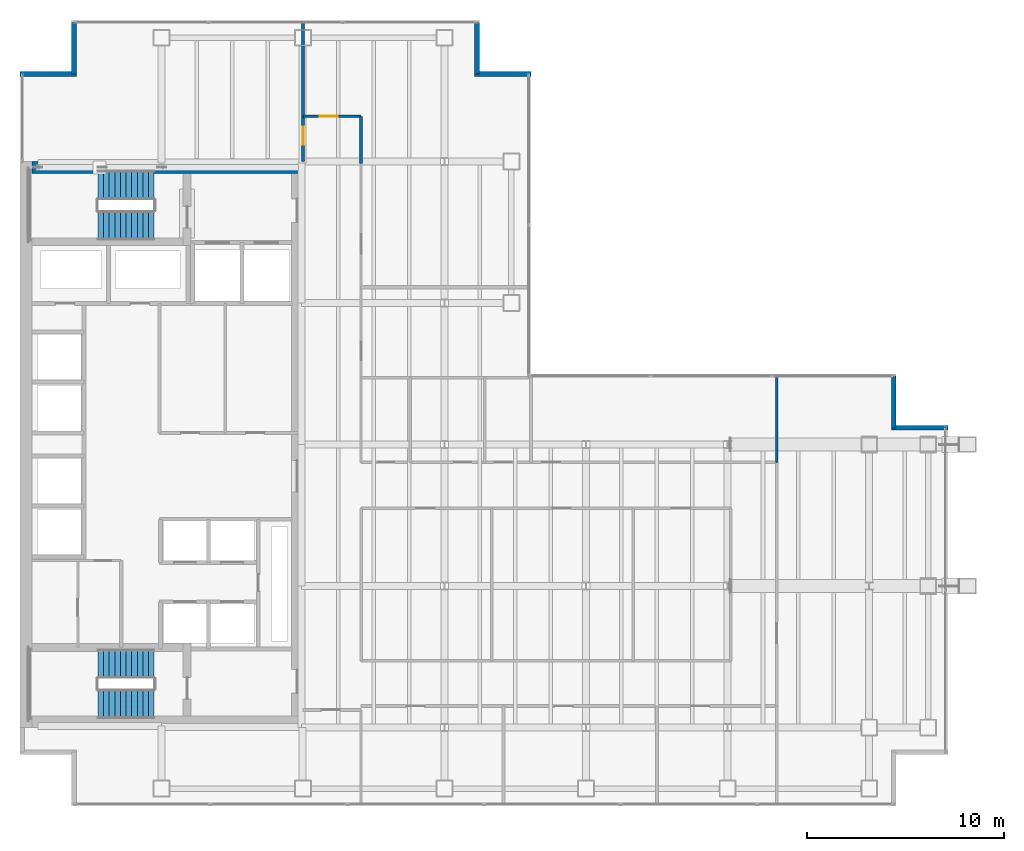
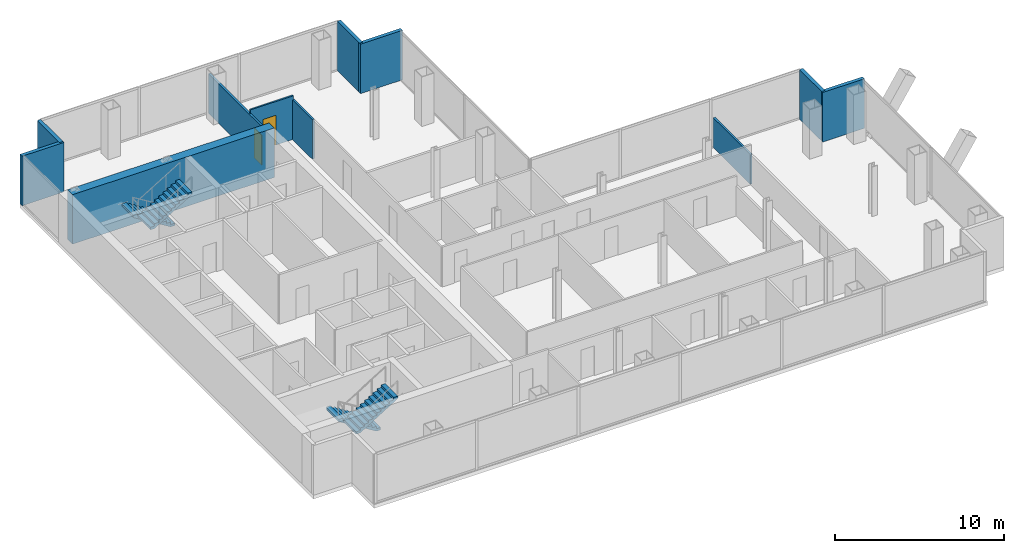
# One storey, part 22 of 23: 11 walls, 4 stair flights, 2 doors, 2 openings, 2 elements without a shape of their own.
"""IFC4 building model written with IfcOpenShell, lengths in metres."""

from ifc_helpers import new_model, si_unit, direction, frame, frame_2d, origin, place, context, subcontext, project, spatial, polyline, rectangle, outline, extrude, material, layer, layer_set, type_object, element, fill, aggregate, save


model = new_model("IFC4")

# Units and contexts
model_context = context("Model", 3, precision=1e-05, world=origin(), true_north=direction((0.0, 1.0)))
body_context = subcontext(model_context, "Body", "Model", "MODEL_VIEW")
ifc_project = project(units=[si_unit("LENGTHUNIT", "METRE"), si_unit("AREAUNIT", "SQUARE_METRE"), si_unit("VOLUMEUNIT", "CUBIC_METRE"), si_unit("PLANEANGLEUNIT", "RADIAN"), si_unit("MASSUNIT", "GRAM", prefix="KILO")], contexts=[model_context])

# Site, building, storey
site_placement = place(None, origin())
site = spatial("IfcSite", under=ifc_project, at=site_placement, CompositionType="ELEMENT")
building_placement = place(site_placement, origin())
building = spatial("IfcBuilding", under=site, at=building_placement, Name="Cobrela Telecom Tower", CompositionType="ELEMENT")
storey_placement = place(building_placement, frame((0.0, 0.0, 156.10009765625)))
storey = spatial("IfcBuildingStorey", under=building, at=storey_placement, Name="L39", CompositionType="ELEMENT", Elevation=156.10009765625)

# Walls
ifc_material_1 = material(Name="Concrete C50/60", Category="concrete")
ifc_layer_1 = layer(ifc_material_1, 0.60009765625)
ifc_layer_set_1 = layer_set([ifc_layer_1], Name="Concrete C50/60")
wall_type_1 = type_object("IfcWallType", Name="WALL-CORE-C50-600", PredefinedType="SHEAR", material=ifc_layer_set_1)
wall_1_placement = place(storey_placement, frame((0.60009765625, 35.699951171875, 0.0), z_axis=(0.0, 0.0, 1.0), x_axis=(1.0, 0.0, 0.0)))
element("IfcWall", 1, at=wall_1_placement, inside=storey, type_object=wall_type_1, Name="L39 North Core Shear Wall", PredefinedType="SHEAR", context=body_context, shape_type="SweptSolid", body=[
    extrude(rectangle(XDim=13.7998046875, YDim=0.60009765625, at=frame_2d((6.89990234375, 0.0))), origin(), (0.0, 0.0, 1.0), 3.579833984375),
])
ifc_material_2 = material(Name="Concrete C40/50", Category="concrete")
ifc_layer_2 = layer(ifc_material_2, 0.239990234375)
ifc_layer_set_2 = layer_set([ifc_layer_2], Name="Concrete C40/50")
wall_type_2 = type_object("IfcWallType", Name="WALL-EXT-300", PredefinedType="STANDARD", material=ifc_layer_set_2)
wall_2_placement = place(storey_placement, frame((0.0, 40.449951171875, 0.0), z_axis=(0.0, 0.0, 1.0), x_axis=(1.0, 0.0, 0.0)))
element("IfcWall", 2, at=wall_2_placement, inside=storey, type_object=wall_type_2, Name="L39 Insulated Facade Wall 05", PredefinedType="STANDARD", context=body_context, shape_type="SweptSolid", body=[
    extrude(rectangle(XDim=2.8701171875, YDim=0.239990234375, at=frame_2d((1.43505859375, 0.0))), origin(), (0.0, 0.0, 1.0), 3.579833984375),
])
for number, where, z_axis, x_axis, name in (
    (3, (2.75, 40.449951171875, 0.0), (0.0, 0.0, 1.0), (0.0, 1.0, 0.0), "L39 Insulated Facade Wall 06"),
    (4, (23.25, 43.080078125, 0.0), (0.0, 0.0, 1.0), (0.0, -1.0, 0.0), "L39 Insulated Facade Wall 08"),
):
    element("IfcWall", number, at=place(storey_placement, frame(where, z_axis=z_axis, x_axis=x_axis)), inside=storey, type_object=wall_type_2, Name=name, PredefinedType="STANDARD", context=body_context, shape_type="SweptSolid", body=[
        extrude(rectangle(XDim=2.630126953125, YDim=0.239990234375, at=frame_2d((1.31494140625, 0.0))), origin(), (0.0, 0.0, 1.0), 3.579833984375),
    ])
wall_3_placement = place(storey_placement, frame((23.1298828125, 40.449951171875, 0.0), z_axis=(0.0, 0.0, 1.0), x_axis=(1.0, 0.0, 0.0)))
element("IfcWall", 5, at=wall_3_placement, inside=storey, type_object=wall_type_2, Name="L39 Insulated Facade Wall 09", PredefinedType="STANDARD", context=body_context, shape_type="SweptSolid", body=[
    extrude(rectangle(XDim=2.8701171875, YDim=0.239990234375, at=frame_2d((1.43505859375, 0.0))), origin(), (0.0, 0.0, 1.0), 3.579833984375),
])
wall_4_placement = place(storey_placement, frame((44.449951171875, 25.080078125, 0.0), z_axis=(0.0, 0.0, 1.0), x_axis=(0.0, -1.0, 0.0)))
element("IfcWall", 6, at=wall_4_placement, inside=storey, type_object=wall_type_2, Name="L39 Insulated Facade Wall 12", PredefinedType="STANDARD", context=body_context, shape_type="SweptSolid", body=[
    extrude(rectangle(XDim=2.630126953125, YDim=0.239990234375, at=frame_2d((1.31494140625, 0.0))), origin(), (0.0, 0.0, 1.0), 3.579833984375),
])
wall_5_placement = place(storey_placement, frame((44.330078125, 22.449951171875, 0.0), z_axis=(0.0, 0.0, 1.0), x_axis=(1.0, 0.0, 0.0)))
element("IfcWall", 7, at=wall_5_placement, inside=storey, type_object=wall_type_2, Name="L39 Insulated Facade Wall 13", PredefinedType="STANDARD", context=body_context, shape_type="SweptSolid", body=[
    extrude(rectangle(XDim=2.869873046875, YDim=0.239990234375, at=frame_2d((1.43505859375, 0.0))), origin(), (0.0, 0.0, 1.0), 3.579833984375),
])

# Wall, opening, door
ifc_material_3 = material(Name="Fire-Rated Gypsum Plasterboard")
ifc_layer_3 = layer(ifc_material_3, 0.110107421875)
ifc_layer_set_3 = layer_set([ifc_layer_3], Name="Fire-Rated Gypsum Plasterboard")
wall_type_3 = type_object("IfcWallType", Name="WALL-PART-110", PredefinedType="PARTITIONING", material=ifc_layer_set_3)
wall_6_placement = place(storey_placement, frame((14.39990234375, 38.300048828125, 0.0), z_axis=(0.0, 0.0, 1.0), x_axis=(1.0, 0.0, 0.0)))
wall_6 = element("IfcWall", 8, at=wall_6_placement, inside=storey, type_object=wall_type_3, Name="L39 Interior Partition W-UWN-T", PredefinedType="PARTITIONING", context=body_context, shape_type="SweptSolid", body=[
    extrude(rectangle(XDim=2.9501953125, YDim=0.110107421875, at=frame_2d((1.47509765625, 0.0))), origin(), (0.0, 0.0, 1.0), 3.14794921875),
])
opening_1_placement = place(wall_6_placement, frame((0.85009765625, 0.0, 0.0)))
opening_1 = element("IfcOpeningElement", 9, at=opening_1_placement, cuts=wall_6, Name="Opening DR-45", PredefinedType="OPENING", context=body_context, shape_type="SweptSolid", body=[
    extrude(rectangle(XDim=0.919921875, YDim=2.14990234375, at=frame_2d((0.4599609375, 1.074951171875))), frame((0.0, 0.06689453125, 0.0), z_axis=(0.0, -1.0, 0.0), x_axis=(1.0, 0.0, 0.0)), (0.0, 0.0, 1.0), 0.134033203125),
])
ifc_material_4 = material(Name="Solid Engineered Oak Timber", Category="wood")
door_type = type_object("IfcDoorType", Name="DOOR-INT-920", OperationType="SINGLE_SWING_LEFT", PredefinedType="DOOR", material=ifc_material_4)
door_1_placement = place(opening_1_placement, origin())
door_1 = element("IfcDoor", 10, at=door_1_placement, inside=storey, type_object=door_type, Name="L39 Door DR-45", OperationType="SINGLE_SWING_RIGHT", OverallHeight=2.14990234375, OverallWidth=0.919921875, PredefinedType="DOOR", context=body_context, shape_type="SweptSolid", body=[
    extrude(rectangle(XDim=0.919921875, YDim=2.14990234375, at=frame_2d((0.4599609375, 1.074951171875))), frame((0.0, 0.02490234375, 0.0), z_axis=(0.0, -1.0, 0.0), x_axis=(1.0, 0.0, 0.0)), (0.0, 0.0, 1.0), 0.050048828125),
])
fill(opening_1, door_1)

# Walls
ifc_layer_4 = layer(ifc_material_3, 0.135009765625)
ifc_layer_set_4 = layer_set([ifc_layer_4], Name="Fire-Rated Gypsum Plasterboard")
wall_type_4 = type_object("IfcWallType", Name="WALL-PART-135", PredefinedType="PARTITIONING", material=ifc_layer_set_4)
wall_7_placement = place(storey_placement, frame((17.35009765625, 35.89990234375, 0.0), z_axis=(0.0, 0.0, 1.0), x_axis=(0.0, 1.0, 0.0)))
element("IfcWall", 11, at=wall_7_placement, inside=storey, type_object=wall_type_4, Name="L39 Interior Partition W-UWN-E", PredefinedType="PARTITIONING", context=body_context, shape_type="SweptSolid", body=[
    extrude(rectangle(XDim=2.400146484375, YDim=0.135009765625, at=frame_2d((1.2001953125, 0.0))), origin(), (0.0, 0.0, 1.0), 2.868896484375),
])
wall_8_placement = place(storey_placement, frame((38.5, 20.699951171875, 0.0), z_axis=(0.0, 0.0, 1.0), x_axis=(0.0, 1.0, 0.0)))
element("IfcWall", 12, at=wall_8_placement, inside=storey, type_object=wall_type_4, Name="L39 Interior Partition W-UFE-N", PredefinedType="PARTITIONING", context=body_context, shape_type="SweptSolid", body=[
    extrude(rectangle(XDim=4.380126953125, YDim=0.135009765625, at=frame_2d((2.18994140625, 0.0))), origin(), (0.0, 0.0, 1.0), 2.164794921875),
])

# Wall, opening, door
ifc_layer_5 = layer(ifc_material_3, 0.14990234375)
ifc_layer_set_5 = layer_set([ifc_layer_5], Name="Fire-Rated Gypsum Plasterboard")
wall_type_5 = type_object("IfcWallType", Name="WALL-PART-150", PredefinedType="PARTITIONING", material=ifc_layer_set_5)
wall_9_placement = place(storey_placement, frame((14.39990234375, 36.0, 0.0), z_axis=(0.0, 0.0, 1.0), x_axis=(0.0, 1.0, 0.0)))
wall_9 = element("IfcWall", 13, at=wall_9_placement, inside=storey, type_object=wall_type_5, Name="L39 Interior Partition W-UWN-W", PredefinedType="PARTITIONING", context=body_context, shape_type="SweptSolid", body=[
    extrude(rectangle(XDim=7.080078125, YDim=0.14990234375, at=frame_2d((3.5400390625, 0.0))), origin(), (0.0, 0.0, 1.0), 2.868896484375),
])
opening_2_placement = place(wall_9_placement, frame((0.85009765625, 0.0, 0.0)))
opening_2 = element("IfcOpeningElement", 14, at=opening_2_placement, cuts=wall_9, Name="Opening DR-45", PredefinedType="OPENING", context=body_context, shape_type="SweptSolid", body=[
    extrude(rectangle(XDim=0.919921875, YDim=2.14990234375, at=frame_2d((0.4599609375, 1.074951171875))), frame((0.0, 0.0869140625, 0.0), z_axis=(0.0, -1.0, 0.0), x_axis=(1.0, 0.0, 0.0)), (0.0, 0.0, 1.0), 0.173828125),
])
door_2_placement = place(opening_2_placement, origin())
door_2 = element("IfcDoor", 15, at=door_2_placement, inside=storey, type_object=door_type, Name="L39 Door DR-45", OperationType="SINGLE_SWING_LEFT", OverallHeight=2.14990234375, OverallWidth=0.919921875, PredefinedType="DOOR", context=body_context, shape_type="SweptSolid", body=[
    extrude(rectangle(XDim=0.919921875, YDim=2.14990234375, at=frame_2d((0.4599609375, 1.074951171875))), frame((0.0, 0.02490234375, 0.0), z_axis=(0.0, -1.0, 0.0), x_axis=(1.0, 0.0, 0.0)), (0.0, 0.0, 1.0), 0.050048828125),
])
fill(opening_2, door_2)

# Stair, stair flights
stair_type = type_object("IfcStairType", Name="STAIR-CORE", PredefinedType="HALF_TURN_STAIR", material=ifc_material_2)
stair_1_placement = place(storey_placement, origin())
stair_1 = element("IfcStair", 16, at=stair_1_placement, inside=storey, type_object=stair_type, Name="L39 Smokeproof Exit Stair ST1", PredefinedType="HALF_TURN_STAIR")
stair_flight_type = type_object("IfcStairFlightType", Name="FLIGHT-CORE", PredefinedType="STRAIGHT", material=ifc_material_2)
stair_flight_1_placement = place(storey_placement, frame((6.820068359375, 34.800048828125, 0.0), z_axis=(0.0, 0.0, 1.0), x_axis=(-1.0, 0.0, 0.0)))
stair_flight_1 = element("IfcStairFlight", 17, at=stair_flight_1_placement, type_object=stair_flight_type, Name="ST1 flight 1", NumberOfRisers=11, NumberOfTreads=10, PredefinedType="STRAIGHT", RiserHeight=0.175, TreadLength=0.285, context=body_context, shape_type="SweptSolid", body=[
    extrude(outline(polyline([(0.0, 0.0), (0.0, 0.175048828125), (0.284912109375, 0.175048828125), (0.284912109375, 0.35009765625), (0.570068359375, 0.35009765625), (0.570068359375, 0.52490234375), (0.85498046875, 0.52490234375), (0.85498046875, 0.699951171875), (1.139892578125, 0.699951171875), (1.139892578125, 0.875), (1.425048828125, 0.875), (1.425048828125, 1.050048828125), (1.7099609375, 1.050048828125), (1.7099609375, 1.22509765625), (1.9951171875, 1.22509765625), (1.9951171875, 1.39990234375), (2.280029296875, 1.39990234375), (2.280029296875, 1.574951171875), (2.56494140625, 1.574951171875), (2.56494140625, 1.75), (2.85009765625, 1.75), (2.85009765625, 1.925048828125), (2.85009765625, 1.573974609375), (0.286376953125, 0.0), (0.0, 0.0)])), frame((0.0, 0.75, 0.0), z_axis=(0.0, -1.0, 0.0), x_axis=(1.0, 0.0, 0.0)), (0.0, 0.0, 1.0), 1.5),
])
stair_flight_2_placement = place(storey_placement, frame((3.969970703125, 32.75, 1.9248046875), z_axis=(0.0, 0.0, 1.0), x_axis=(1.0, 0.0, 0.0)))
stair_flight_2 = element("IfcStairFlight", 18, at=stair_flight_2_placement, type_object=stair_flight_type, Name="ST1 flight 2", NumberOfRisers=11, NumberOfTreads=10, PredefinedType="STRAIGHT", RiserHeight=0.175, TreadLength=0.285, context=body_context, shape_type="SweptSolid", body=[
    extrude(outline(polyline([(0.0, 0.0), (0.0, 0.175048828125), (0.284912109375, 0.175048828125), (0.284912109375, 0.35009765625), (0.570068359375, 0.35009765625), (0.570068359375, 0.52490234375), (0.85498046875, 0.52490234375), (0.85498046875, 0.699951171875), (1.139892578125, 0.699951171875), (1.139892578125, 0.875), (1.425048828125, 0.875), (1.425048828125, 1.050048828125), (1.7099609375, 1.050048828125), (1.7099609375, 1.22509765625), (1.9951171875, 1.22509765625), (1.9951171875, 1.39990234375), (2.280029296875, 1.39990234375), (2.280029296875, 1.574951171875), (2.56494140625, 1.574951171875), (2.56494140625, 1.75), (2.85009765625, 1.75), (2.85009765625, 1.925048828125), (2.85009765625, 1.573974609375), (0.286376953125, 0.0), (0.0, 0.0)])), frame((0.0, 0.75, 0.0), z_axis=(0.0, -1.0, 0.0), x_axis=(1.0, 0.0, 0.0)), (0.0, 0.0, 1.0), 1.5),
])
aggregate(stair_1, [stair_flight_1, stair_flight_2])

stair_2_placement = place(storey_placement, origin())
stair_2 = element("IfcStair", 19, at=stair_2_placement, inside=storey, type_object=stair_type, Name="L39 Smokeproof Exit Stair ST2", PredefinedType="HALF_TURN_STAIR")
stair_flight_3_placement = place(storey_placement, frame((6.820068359375, 10.449951171875, 0.0), z_axis=(0.0, 0.0, 1.0), x_axis=(-1.0, 0.0, 0.0)))
stair_flight_3 = element("IfcStairFlight", 20, at=stair_flight_3_placement, type_object=stair_flight_type, Name="ST2 flight 1", NumberOfRisers=11, NumberOfTreads=10, PredefinedType="STRAIGHT", RiserHeight=0.175, TreadLength=0.285, context=body_context, shape_type="SweptSolid", body=[
    extrude(outline(polyline([(0.0, 0.0), (0.0, 0.175048828125), (0.284912109375, 0.175048828125), (0.284912109375, 0.35009765625), (0.570068359375, 0.35009765625), (0.570068359375, 0.52490234375), (0.85498046875, 0.52490234375), (0.85498046875, 0.699951171875), (1.139892578125, 0.699951171875), (1.139892578125, 0.875), (1.425048828125, 0.875), (1.425048828125, 1.050048828125), (1.7099609375, 1.050048828125), (1.7099609375, 1.22509765625), (1.9951171875, 1.22509765625), (1.9951171875, 1.39990234375), (2.280029296875, 1.39990234375), (2.280029296875, 1.574951171875), (2.56494140625, 1.574951171875), (2.56494140625, 1.75), (2.85009765625, 1.75), (2.85009765625, 1.925048828125), (2.85009765625, 1.573974609375), (0.286376953125, 0.0), (0.0, 0.0)])), frame((0.0, 0.75, 0.0), z_axis=(0.0, -1.0, 0.0), x_axis=(1.0, 0.0, 0.0)), (0.0, 0.0, 1.0), 1.5),
])
stair_flight_4_placement = place(storey_placement, frame((3.969970703125, 8.39990234375, 1.9248046875), z_axis=(0.0, 0.0, 1.0), x_axis=(1.0, 0.0, 0.0)))
stair_flight_4 = element("IfcStairFlight", 21, at=stair_flight_4_placement, type_object=stair_flight_type, Name="ST2 flight 2", NumberOfRisers=11, NumberOfTreads=10, PredefinedType="STRAIGHT", RiserHeight=0.175, TreadLength=0.285, context=body_context, shape_type="SweptSolid", body=[
    extrude(outline(polyline([(0.0, 0.0), (0.0, 0.175048828125), (0.284912109375, 0.175048828125), (0.284912109375, 0.35009765625), (0.570068359375, 0.35009765625), (0.570068359375, 0.52490234375), (0.85498046875, 0.52490234375), (0.85498046875, 0.699951171875), (1.139892578125, 0.699951171875), (1.139892578125, 0.875), (1.425048828125, 0.875), (1.425048828125, 1.050048828125), (1.7099609375, 1.050048828125), (1.7099609375, 1.22509765625), (1.9951171875, 1.22509765625), (1.9951171875, 1.39990234375), (2.280029296875, 1.39990234375), (2.280029296875, 1.574951171875), (2.56494140625, 1.574951171875), (2.56494140625, 1.75), (2.85009765625, 1.75), (2.85009765625, 1.925048828125), (2.85009765625, 1.573974609375), (0.286376953125, 0.0), (0.0, 0.0)])), frame((0.0, 0.75, 0.0), z_axis=(0.0, -1.0, 0.0), x_axis=(1.0, 0.0, 0.0)), (0.0, 0.0, 1.0), 1.5),
])
aggregate(stair_2, [stair_flight_3, stair_flight_4])

save(model, "model.ifc")
